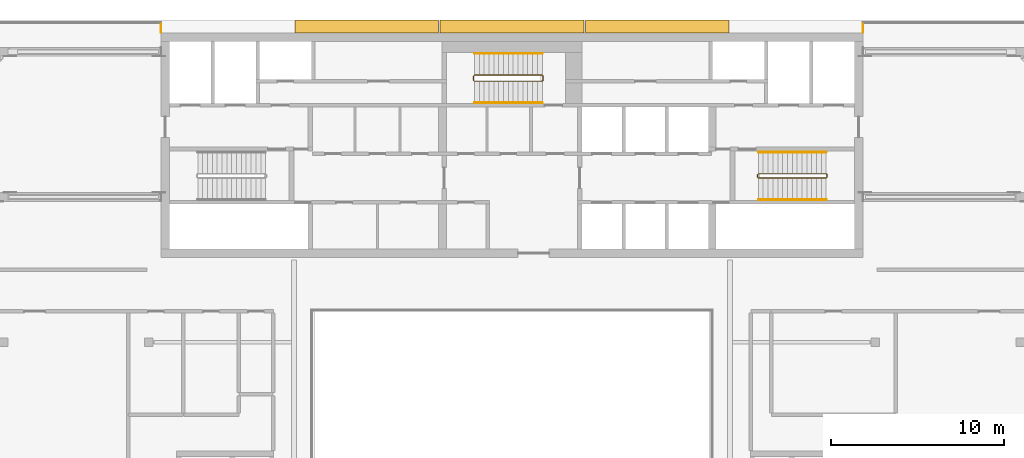
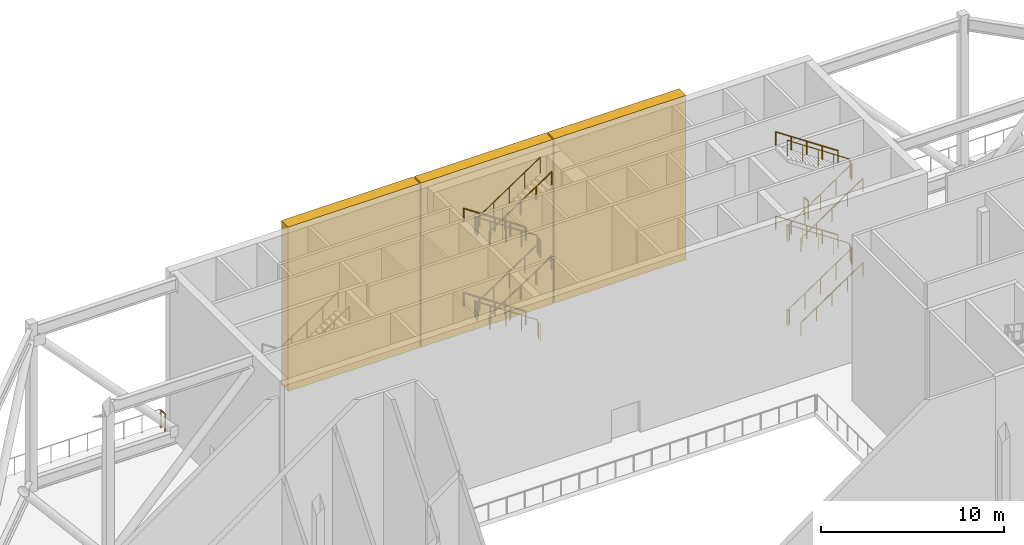
# One storey, part 19 of 20: 12 railings, 3 coverings.
"""IFC4 building model written with IfcOpenShell, lengths in metres."""

from ifc_helpers import new_model, si_unit, direction, frame, origin, origin_2d, place, context, subcontext, project, spatial, polyline, circle, outline, extrude, material, layer, layer_set, type_object, element, save


model = new_model("IFC4")

# Units and contexts
model_context = context("Model", 3, precision=1e-05, world=origin(), true_north=direction((0.0, 1.0)))
body_context = subcontext(model_context, "Body", "Model", "MODEL_VIEW")
ifc_project = project(units=[si_unit("LENGTHUNIT", "METRE"), si_unit("AREAUNIT", "SQUARE_METRE"), si_unit("VOLUMEUNIT", "CUBIC_METRE"), si_unit("PLANEANGLEUNIT", "RADIAN"), si_unit("MASSUNIT", "GRAM", prefix="KILO")], contexts=[model_context])

# Site, building, storey
site_placement = place(None, origin())
site = spatial("IfcSite", under=ifc_project, at=site_placement, CompositionType="ELEMENT")
building_placement = place(site_placement, origin())
building = spatial("IfcBuilding", under=site, at=building_placement, Name="Saffron Gate Tower", CompositionType="ELEMENT")
storey_placement = place(building_placement, frame((0.0, 0.0, 252.300048828125)))
storey = spatial("IfcBuildingStorey", under=building, at=storey_placement, Name="L62", CompositionType="ELEMENT", Elevation=252.300048828125)

# Railings
ifc_material_1 = material(Name="Stainless steel posts and toughened glass infill", Category="steel")
railing_type_1 = type_object("IfcRailingType", Name="BAL1 balustrade 1200", PredefinedType="BALUSTRADE", material=ifc_material_1)
for number, where, name in (
    (1, (67.300048828125, 75.39990234375, 0.0), "GUARD portal deck edge"),
    (2, (107.89990234375, 75.39990234375, 0.0), "GUARD portal deck edge"),
):
    element("IfcRailing", number, at=place(storey_placement, frame(where)), inside=storey, type_object=railing_type_1, Name=name, PredefinedType="BALUSTRADE", context=body_context, shape_type="SweptSolid", body=[
        extrude(circle(Radius=0.02392578125, at=origin_2d()), frame((0.0, 0.0, 1.17578125), z_axis=(0.0, -1.0, 0.0), x_axis=(1.0, 0.0, 0.0)), (0.0, 0.0, 1.0), 0.469970703125),
        extrude(circle(Radius=0.02099609375, at=origin_2d()), origin(), (0.0, 0.0, 1.0), 1.15185546875),
        extrude(circle(Radius=0.02099609375, at=origin_2d()), frame((0.0, -0.469970703125, 0.0)), (0.0, 0.0, 1.0), 1.15185546875),
    ])

# Coverings
ifc_material_2 = material(Name="Ceramic-printed bronze insulated panel")
ifc_layer = layer(ifc_material_2, 0.739990234375)
ifc_layer_set = layer_set([ifc_layer], Name="CLD5 ceramic-printed cladding panel 740")
covering_type = type_object("IfcCoveringType", Name="CLD5 ceramic-printed cladding panel 740", PredefinedType="CLADDING", material=ifc_layer_set)
covering_1_placement = place(storey_placement, origin())
element("IfcCovering", 3, at=covering_1_placement, inside=storey, type_object=covering_type, Name="CLADDING ceramic-printed panel", PredefinedType="CLADDING", context=body_context, shape_type="SweptSolid", body=[
    extrude(outline(polyline([(100.159912109375, 75.639892578125), (91.840087890625, 75.639892578125), (91.840087890625, 74.89990234375), (100.159912109375, 74.89990234375), (100.159912109375, 75.639892578125)])), origin(), (0.0, 0.0, 1.0), 10.969970703125),
])
covering_2_placement = place(storey_placement, origin())
element("IfcCovering", 4, at=covering_2_placement, inside=storey, type_object=covering_type, Name="CLADDING ceramic-printed panel", PredefinedType="CLADDING", context=body_context, shape_type="SweptSolid", body=[
    extrude(outline(polyline([(91.760009765625, 75.639892578125), (83.43994140625, 75.639892578125), (83.43994140625, 74.89990234375), (91.760009765625, 74.89990234375), (91.760009765625, 75.639892578125)])), origin(), (0.0, 0.0, 1.0), 10.969970703125),
])
covering_3_placement = place(storey_placement, origin())
element("IfcCovering", 5, at=covering_3_placement, inside=storey, type_object=covering_type, Name="CLADDING ceramic-printed panel", PredefinedType="CLADDING", context=body_context, shape_type="SweptSolid", body=[
    extrude(outline(polyline([(83.360107421875, 75.639892578125), (75.0400390625, 75.639892578125), (75.0400390625, 74.89990234375), (83.360107421875, 74.89990234375), (83.360107421875, 75.639892578125)])), origin(), (0.0, 0.0, 1.0), 10.969970703125),
])

# Railings
ifc_material_3 = material(Name="Stainless steel and laminated glass", Category="steel")
railing_type_2 = type_object("IfcRailingType", Name="CR1 Stair guard 1100", PredefinedType="GUARDRAIL", material=ifc_material_3)
railing_1_placement = place(storey_placement, frame((101.800048828125, 66.699951171875, 0.0)))
element("IfcRailing", 6, at=railing_1_placement, inside=storey, type_object=railing_type_2, Name="L62 ST-B stair guard 1", PredefinedType="GUARDRAIL", context=body_context, shape_type="SweptSolid", body=[
    extrude(circle(Radius=0.02392578125, at=origin_2d()), frame((0.0, 0.0, 1.076171875), z_axis=(0.0, -1.0, 0.0), x_axis=(1.0, 0.0, 0.0)), (0.0, 0.0, 1.0), 0.14990234375),
    extrude(circle(Radius=0.02392578125, at=origin_2d()), frame((0.0, -0.14990234375, 1.076171875), z_axis=(0.249726431254, -0.249726431254, 0.935560483917), x_axis=(0.707106781187, 0.707106781187, 0.0)), (0.0, 0.0, 1.0), 0.200439453125),
    extrude(circle(Radius=0.02392578125, at=origin_2d()), frame((0.050048828125, -0.199951171875, 1.263671875), z_axis=(0.830902050051, 0.0, 0.556418712142), x_axis=(0.0, 1.0, 0.0)), (0.0, 0.0, 1.0), 4.7177734375),
    extrude(circle(Radius=0.02392578125, at=origin_2d()), frame((3.969970703125, -0.199951171875, 3.888671875), z_axis=(0.707106781187, 0.707106781187, 0.0), x_axis=(-0.707106781187, 0.707106781187, 0.0)), (0.0, 0.0, 1.0), 0.07080078125),
    extrude(circle(Radius=0.02392578125, at=origin_2d()), frame((4.02001953125, -0.14990234375, 3.888671875), z_axis=(0.0, 1.0, 0.0), x_axis=(-1.0, 0.0, 0.0)), (0.0, 0.0, 1.0), 0.14990234375),
    extrude(circle(Radius=0.02392578125, at=origin_2d()), frame((4.02001953125, 0.0, 3.888671875), z_axis=(-0.249726431254, 0.249726431254, 0.935560483917), x_axis=(-0.707106781187, -0.707106781187, 0.0)), (0.0, 0.0, 1.0), 0.200439453125),
    extrude(circle(Radius=0.02392578125, at=origin_2d()), frame((3.969970703125, 0.050048828125, 4.076171875), z_axis=(-0.830902050051, 0.0, 0.556418712142), x_axis=(0.0, -1.0, 0.0)), (0.0, 0.0, 1.0), 4.7177734375),
    extrude(circle(Radius=0.02392578125, at=origin_2d()), frame((0.050048828125, 0.050048828125, 6.701171875), z_axis=(-0.707106781187, -0.707106781187, 0.0), x_axis=(0.707106781187, -0.707106781187, 0.0)), (0.0, 0.0, 1.0), 0.07080078125),
    extrude(circle(Radius=0.02392578125, at=origin_2d()), frame((0.0, 0.0, 6.701171875), z_axis=(0.0, -1.0, 0.0), x_axis=(1.0, 0.0, 0.0)), (0.0, 0.0, 1.0), 0.14990234375),
    extrude(circle(Radius=0.02392578125, at=origin_2d()), frame((0.0, -0.14990234375, 6.701171875), z_axis=(0.249726431254, -0.249726431254, 0.935560483917), x_axis=(0.707106781187, 0.707106781187, 0.0)), (0.0, 0.0, 1.0), 0.200439453125),
    extrude(circle(Radius=0.02392578125, at=origin_2d()), frame((0.050048828125, -0.199951171875, 6.888671875), z_axis=(0.830902050051, 0.0, 0.556418712142), x_axis=(0.0, 1.0, 0.0)), (0.0, 0.0, 1.0), 4.7177734375),
    extrude(circle(Radius=0.02392578125, at=origin_2d()), frame((3.969970703125, -0.199951171875, 9.513671875), z_axis=(0.707106781187, 0.707106781187, 0.0), x_axis=(-0.707106781187, 0.707106781187, 0.0)), (0.0, 0.0, 1.0), 0.07080078125),
    extrude(circle(Radius=0.02392578125, at=origin_2d()), frame((4.02001953125, -0.14990234375, 9.513671875), z_axis=(0.0, 1.0, 0.0), x_axis=(-1.0, 0.0, 0.0)), (0.0, 0.0, 1.0), 0.14990234375),
    extrude(circle(Radius=0.02392578125, at=origin_2d()), frame((4.02001953125, 0.0, 9.513671875), z_axis=(-0.249726431254, 0.249726431254, 0.935560483917), x_axis=(-0.707106781187, -0.707106781187, 0.0)), (0.0, 0.0, 1.0), 0.200439453125),
    extrude(circle(Radius=0.02392578125, at=origin_2d()), frame((3.969970703125, 0.050048828125, 9.701171875), z_axis=(-0.830902050051, 0.0, 0.556418712142), x_axis=(0.0, -1.0, 0.0)), (0.0, 0.0, 1.0), 4.7177734375),
    extrude(circle(Radius=0.02099609375, at=origin_2d()), origin(), (0.0, 0.0, 1.0), 1.052001953125),
    extrude(circle(Radius=0.02099609375, at=origin_2d()), frame((0.0, -0.14990234375, 0.0)), (0.0, 0.0, 1.0), 1.052001953125),
    extrude(circle(Radius=0.02099609375, at=origin_2d()), frame((0.050048828125, -0.199951171875, 0.1875)), (0.0, 0.0, 1.0), 1.052001953125),
    extrude(circle(Radius=0.02099609375, at=origin_2d()), frame((1.030029296875, -0.199951171875, 0.84375)), (0.0, 0.0, 1.0), 1.052001953125),
    extrude(circle(Radius=0.02099609375, at=origin_2d()), frame((2.010009765625, -0.199951171875, 1.5)), (0.0, 0.0, 1.0), 1.052001953125),
    extrude(circle(Radius=0.02099609375, at=origin_2d()), frame((2.989990234375, -0.199951171875, 2.15625)), (0.0, 0.0, 1.0), 1.052001953125),
    extrude(circle(Radius=0.02099609375, at=origin_2d()), frame((3.969970703125, -0.199951171875, 2.8125)), (0.0, 0.0, 1.0), 1.052001953125),
    extrude(circle(Radius=0.02099609375, at=origin_2d()), frame((4.02001953125, -0.14990234375, 2.8125)), (0.0, 0.0, 1.0), 1.052001953125),
    extrude(circle(Radius=0.02099609375, at=origin_2d()), frame((4.02001953125, 0.0, 2.8125)), (0.0, 0.0, 1.0), 1.052001953125),
    extrude(circle(Radius=0.02099609375, at=origin_2d()), frame((3.969970703125, 0.050048828125, 3.0)), (0.0, 0.0, 1.0), 1.052001953125),
    extrude(circle(Radius=0.02099609375, at=origin_2d()), frame((2.989990234375, 0.050048828125, 3.65625)), (0.0, 0.0, 1.0), 1.052001953125),
    extrude(circle(Radius=0.02099609375, at=origin_2d()), frame((2.010009765625, 0.050048828125, 4.3125)), (0.0, 0.0, 1.0), 1.052001953125),
    extrude(circle(Radius=0.02099609375, at=origin_2d()), frame((1.030029296875, 0.050048828125, 4.96875)), (0.0, 0.0, 1.0), 1.052001953125),
    extrude(circle(Radius=0.02099609375, at=origin_2d()), frame((0.050048828125, 0.050048828125, 5.625)), (0.0, 0.0, 1.0), 1.052001953125),
    extrude(circle(Radius=0.02099609375, at=origin_2d()), frame((0.0, 0.0, 5.625)), (0.0, 0.0, 1.0), 1.052001953125),
    extrude(circle(Radius=0.02099609375, at=origin_2d()), frame((0.0, -0.14990234375, 5.625)), (0.0, 0.0, 1.0), 1.052001953125),
    extrude(circle(Radius=0.02099609375, at=origin_2d()), frame((0.050048828125, -0.199951171875, 5.8125)), (0.0, 0.0, 1.0), 1.052001953125),
    extrude(circle(Radius=0.02099609375, at=origin_2d()), frame((1.030029296875, -0.199951171875, 6.46875)), (0.0, 0.0, 1.0), 1.052001953125),
    extrude(circle(Radius=0.02099609375, at=origin_2d()), frame((2.010009765625, -0.199951171875, 7.125)), (0.0, 0.0, 1.0), 1.052001953125),
    extrude(circle(Radius=0.02099609375, at=origin_2d()), frame((2.989990234375, -0.199951171875, 7.78125)), (0.0, 0.0, 1.0), 1.052001953125),
    extrude(circle(Radius=0.02099609375, at=origin_2d()), frame((3.969970703125, -0.199951171875, 8.4375)), (0.0, 0.0, 1.0), 1.052001953125),
    extrude(circle(Radius=0.02099609375, at=origin_2d()), frame((4.02001953125, -0.14990234375, 8.4375)), (0.0, 0.0, 1.0), 1.052001953125),
    extrude(circle(Radius=0.02099609375, at=origin_2d()), frame((4.02001953125, 0.0, 8.4375)), (0.0, 0.0, 1.0), 1.052001953125),
    extrude(circle(Radius=0.02099609375, at=origin_2d()), frame((3.969970703125, 0.050048828125, 8.625)), (0.0, 0.0, 1.0), 1.052001953125),
    extrude(circle(Radius=0.02099609375, at=origin_2d()), frame((2.989990234375, 0.050048828125, 9.28125)), (0.0, 0.0, 1.0), 1.052001953125),
    extrude(circle(Radius=0.02099609375, at=origin_2d()), frame((2.010009765625, 0.050048828125, 9.9375)), (0.0, 0.0, 1.0), 1.052001953125),
    extrude(circle(Radius=0.02099609375, at=origin_2d()), frame((1.030029296875, 0.050048828125, 10.59375)), (0.0, 0.0, 1.0), 1.052001953125),
    extrude(circle(Radius=0.02099609375, at=origin_2d()), frame((0.050048828125, 0.050048828125, 11.25)), (0.0, 0.0, 1.0), 1.052001953125),
])
railing_2_placement = place(storey_placement, frame((89.39990234375, 72.14990234375, 0.0)))
element("IfcRailing", 7, at=railing_2_placement, inside=storey, type_object=railing_type_2, Name="L62 ST-C stair guard 1", PredefinedType="GUARDRAIL", context=body_context, shape_type="SweptSolid", body=[
    extrude(circle(Radius=0.02392578125, at=origin_2d()), frame((0.0, 0.0, 1.076171875), z_axis=(0.0, 1.0, 0.0), x_axis=(-1.0, 0.0, 0.0)), (0.0, 0.0, 1.0), 0.25),
    extrude(circle(Radius=0.02392578125, at=origin_2d()), frame((0.0, 0.25, 1.076171875), z_axis=(-0.248583702486, 0.249802250048, 0.935844527007), x_axis=(-0.708833529934, -0.705375805398, 0.0)), (0.0, 0.0, 1.0), 0.200439453125),
    extrude(circle(Radius=0.02392578125, at=origin_2d()), frame((-0.0498046875, 0.300048828125, 1.263671875), z_axis=(-0.830918070988, 0.0, 0.556394787274), x_axis=(0.0, -1.0, 0.0)), (0.0, 0.0, 1.0), 4.7177734375),
    extrude(circle(Radius=0.02392578125, at=origin_2d()), frame((-3.969970703125, 0.300048828125, 3.888671875), z_axis=(-0.707106781187, -0.707106781187, 0.0), x_axis=(0.707106781187, -0.707106781187, 0.0)), (0.0, 0.0, 1.0), 0.07080078125),
    extrude(circle(Radius=0.02392578125, at=origin_2d()), frame((-4.02001953125, 0.25, 3.888671875), z_axis=(0.0, -1.0, 0.0), x_axis=(1.0, 0.0, 0.0)), (0.0, 0.0, 1.0), 0.25),
    extrude(circle(Radius=0.02392578125, at=origin_2d()), frame((-4.02001953125, 0.0, 3.888671875), z_axis=(0.249802250048, -0.248583702486, 0.935844527007), x_axis=(0.705375805398, 0.708833529934, 0.0)), (0.0, 0.0, 1.0), 0.200439453125),
    extrude(circle(Radius=0.02392578125, at=origin_2d()), frame((-3.969970703125, -0.0498046875, 4.076171875), z_axis=(0.830918070988, 0.0, 0.556394787274), x_axis=(0.0, 1.0, 0.0)), (0.0, 0.0, 1.0), 4.7177734375),
    extrude(circle(Radius=0.02392578125, at=origin_2d()), frame((-0.0498046875, -0.0498046875, 6.701171875), z_axis=(0.707106781187, 0.707106781187, 0.0), x_axis=(-0.707106781187, 0.707106781187, 0.0)), (0.0, 0.0, 1.0), 0.0703125),
    extrude(circle(Radius=0.02392578125, at=origin_2d()), frame((0.0, 0.0, 6.701171875), z_axis=(0.0, 1.0, 0.0), x_axis=(-1.0, 0.0, 0.0)), (0.0, 0.0, 1.0), 0.25),
    extrude(circle(Radius=0.02392578125, at=origin_2d()), frame((0.0, 0.25, 6.701171875), z_axis=(-0.248583702486, 0.249802250048, 0.935844527007), x_axis=(-0.708833529934, -0.705375805398, 0.0)), (0.0, 0.0, 1.0), 0.200439453125),
    extrude(circle(Radius=0.02392578125, at=origin_2d()), frame((-0.0498046875, 0.300048828125, 6.888671875), z_axis=(-0.830918070988, 0.0, 0.556394787274), x_axis=(0.0, -1.0, 0.0)), (0.0, 0.0, 1.0), 4.7177734375),
    extrude(circle(Radius=0.02392578125, at=origin_2d()), frame((-3.969970703125, 0.300048828125, 9.513671875), z_axis=(-0.707106781187, -0.707106781187, 0.0), x_axis=(0.707106781187, -0.707106781187, 0.0)), (0.0, 0.0, 1.0), 0.07080078125),
    extrude(circle(Radius=0.02392578125, at=origin_2d()), frame((-4.02001953125, 0.25, 9.513671875), z_axis=(0.0, -1.0, 0.0), x_axis=(1.0, 0.0, 0.0)), (0.0, 0.0, 1.0), 0.25),
    extrude(circle(Radius=0.02392578125, at=origin_2d()), frame((-4.02001953125, 0.0, 9.513671875), z_axis=(0.249802250048, -0.248583702486, 0.935844527007), x_axis=(0.705375805398, 0.708833529934, 0.0)), (0.0, 0.0, 1.0), 0.200439453125),
    extrude(circle(Radius=0.02392578125, at=origin_2d()), frame((-3.969970703125, -0.0498046875, 9.701171875), z_axis=(0.830918070988, 0.0, 0.556394787274), x_axis=(0.0, 1.0, 0.0)), (0.0, 0.0, 1.0), 4.7177734375),
    extrude(circle(Radius=0.02099609375, at=origin_2d()), origin(), (0.0, 0.0, 1.0), 1.052001953125),
    extrude(circle(Radius=0.02099609375, at=origin_2d()), frame((0.0, 0.25, 0.0)), (0.0, 0.0, 1.0), 1.052001953125),
    extrude(circle(Radius=0.02099609375, at=origin_2d()), frame((-0.0498046875, 0.300048828125, 0.1875)), (0.0, 0.0, 1.0), 1.052001953125),
    extrude(circle(Radius=0.02099609375, at=origin_2d()), frame((-1.02978515625, 0.300048828125, 0.84375)), (0.0, 0.0, 1.0), 1.052001953125),
    extrude(circle(Radius=0.02099609375, at=origin_2d()), frame((-2.009765625, 0.300048828125, 1.5)), (0.0, 0.0, 1.0), 1.052001953125),
    extrude(circle(Radius=0.02099609375, at=origin_2d()), frame((-2.989990234375, 0.300048828125, 2.15625)), (0.0, 0.0, 1.0), 1.052001953125),
    extrude(circle(Radius=0.02099609375, at=origin_2d()), frame((-3.969970703125, 0.300048828125, 2.8125)), (0.0, 0.0, 1.0), 1.052001953125),
    extrude(circle(Radius=0.02099609375, at=origin_2d()), frame((-4.02001953125, 0.25, 2.8125)), (0.0, 0.0, 1.0), 1.052001953125),
    extrude(circle(Radius=0.02099609375, at=origin_2d()), frame((-4.02001953125, 0.0, 2.8125)), (0.0, 0.0, 1.0), 1.052001953125),
    extrude(circle(Radius=0.02099609375, at=origin_2d()), frame((-3.969970703125, -0.0498046875, 3.0)), (0.0, 0.0, 1.0), 1.052001953125),
    extrude(circle(Radius=0.02099609375, at=origin_2d()), frame((-2.989990234375, -0.0498046875, 3.65625)), (0.0, 0.0, 1.0), 1.052001953125),
    extrude(circle(Radius=0.02099609375, at=origin_2d()), frame((-2.009765625, -0.0498046875, 4.3125)), (0.0, 0.0, 1.0), 1.052001953125),
    extrude(circle(Radius=0.02099609375, at=origin_2d()), frame((-1.02978515625, -0.0498046875, 4.96875)), (0.0, 0.0, 1.0), 1.052001953125),
    extrude(circle(Radius=0.02099609375, at=origin_2d()), frame((-0.0498046875, -0.0498046875, 5.625)), (0.0, 0.0, 1.0), 1.052001953125),
    extrude(circle(Radius=0.02099609375, at=origin_2d()), frame((0.0, 0.0, 5.625)), (0.0, 0.0, 1.0), 1.052001953125),
    extrude(circle(Radius=0.02099609375, at=origin_2d()), frame((0.0, 0.25, 5.625)), (0.0, 0.0, 1.0), 1.052001953125),
    extrude(circle(Radius=0.02099609375, at=origin_2d()), frame((-0.0498046875, 0.300048828125, 5.8125)), (0.0, 0.0, 1.0), 1.052001953125),
    extrude(circle(Radius=0.02099609375, at=origin_2d()), frame((-1.02978515625, 0.300048828125, 6.46875)), (0.0, 0.0, 1.0), 1.052001953125),
    extrude(circle(Radius=0.02099609375, at=origin_2d()), frame((-2.009765625, 0.300048828125, 7.125)), (0.0, 0.0, 1.0), 1.052001953125),
    extrude(circle(Radius=0.02099609375, at=origin_2d()), frame((-2.989990234375, 0.300048828125, 7.78125)), (0.0, 0.0, 1.0), 1.052001953125),
    extrude(circle(Radius=0.02099609375, at=origin_2d()), frame((-3.969970703125, 0.300048828125, 8.4375)), (0.0, 0.0, 1.0), 1.052001953125),
    extrude(circle(Radius=0.02099609375, at=origin_2d()), frame((-4.02001953125, 0.25, 8.4375)), (0.0, 0.0, 1.0), 1.052001953125),
    extrude(circle(Radius=0.02099609375, at=origin_2d()), frame((-4.02001953125, 0.0, 8.4375)), (0.0, 0.0, 1.0), 1.052001953125),
    extrude(circle(Radius=0.02099609375, at=origin_2d()), frame((-3.969970703125, -0.0498046875, 8.625)), (0.0, 0.0, 1.0), 1.052001953125),
    extrude(circle(Radius=0.02099609375, at=origin_2d()), frame((-2.989990234375, -0.0498046875, 9.28125)), (0.0, 0.0, 1.0), 1.052001953125),
    extrude(circle(Radius=0.02099609375, at=origin_2d()), frame((-2.009765625, -0.0498046875, 9.9375)), (0.0, 0.0, 1.0), 1.052001953125),
    extrude(circle(Radius=0.02099609375, at=origin_2d()), frame((-1.02978515625, -0.0498046875, 10.59375)), (0.0, 0.0, 1.0), 1.052001953125),
    extrude(circle(Radius=0.02099609375, at=origin_2d()), frame((-0.0498046875, -0.0498046875, 11.25)), (0.0, 0.0, 1.0), 1.052001953125),
])
ifc_material_4 = material(Name="Stainless steel", Category="steel")
railing_type_3 = type_object("IfcRailingType", Name="CR2 Stair handrail 900", PredefinedType="HANDRAIL", material=ifc_material_4)
railing_3_placement = place(storey_placement, frame((101.85009765625, 65.25, 0.1875)))
element("IfcRailing", 8, at=railing_3_placement, inside=storey, type_object=railing_type_3, Name="L62 ST-B stair handrail 1", PredefinedType="HANDRAIL", context=body_context, shape_type="SweptSolid", body=[
    extrude(circle(Radius=0.02392578125, at=origin_2d()), frame((0.0, 0.0, 0.8759765625), z_axis=(0.830902050051, 0.0, 0.556418712142), x_axis=(0.0, 1.0, 0.0)), (0.0, 0.0, 1.0), 4.7177734375),
    extrude(circle(Radius=0.02099609375, at=origin_2d()), origin(), (0.0, 0.0, 1.0), 0.851806640625),
    extrude(circle(Radius=0.02099609375, at=origin_2d()), frame((0.97998046875, 0.0, 0.65625)), (0.0, 0.0, 1.0), 0.851806640625),
    extrude(circle(Radius=0.02099609375, at=origin_2d()), frame((1.9599609375, 0.0, 1.3125)), (0.0, 0.0, 1.0), 0.851806640625),
    extrude(circle(Radius=0.02099609375, at=origin_2d()), frame((2.93994140625, 0.0, 1.96875)), (0.0, 0.0, 1.0), 0.851806640625),
    extrude(circle(Radius=0.02099609375, at=origin_2d()), frame((3.919921875, 0.0, 2.625)), (0.0, 0.0, 1.0), 0.851806640625),
])
railing_4_placement = place(storey_placement, frame((105.77001953125, 68.0, 3.0)))
element("IfcRailing", 9, at=railing_4_placement, inside=storey, type_object=railing_type_3, Name="L62 ST-B stair handrail 2", PredefinedType="HANDRAIL", context=body_context, shape_type="SweptSolid", body=[
    extrude(circle(Radius=0.02392578125, at=origin_2d()), frame((0.0, 0.0, 0.8759765625), z_axis=(-0.830902050051, 0.0, 0.556418712142), x_axis=(0.0, -1.0, 0.0)), (0.0, 0.0, 1.0), 4.7177734375),
    extrude(circle(Radius=0.02099609375, at=origin_2d()), origin(), (0.0, 0.0, 1.0), 0.851806640625),
    extrude(circle(Radius=0.02099609375, at=origin_2d()), frame((-0.97998046875, 0.0, 0.65625)), (0.0, 0.0, 1.0), 0.851806640625),
    extrude(circle(Radius=0.02099609375, at=origin_2d()), frame((-1.9599609375, 0.0, 1.3125)), (0.0, 0.0, 1.0), 0.851806640625),
    extrude(circle(Radius=0.02099609375, at=origin_2d()), frame((-2.93994140625, 0.0, 1.96875)), (0.0, 0.0, 1.0), 0.851806640625),
    extrude(circle(Radius=0.02099609375, at=origin_2d()), frame((-3.919921875, 0.0, 2.625)), (0.0, 0.0, 1.0), 0.851806640625),
])
railing_5_placement = place(storey_placement, frame((101.85009765625, 65.25, 5.8125)))
element("IfcRailing", 10, at=railing_5_placement, inside=storey, type_object=railing_type_3, Name="L62 ST-B stair handrail 3", PredefinedType="HANDRAIL", context=body_context, shape_type="SweptSolid", body=[
    extrude(circle(Radius=0.02392578125, at=origin_2d()), frame((0.0, 0.0, 0.8759765625), z_axis=(0.830902050051, 0.0, 0.556418712142), x_axis=(0.0, 1.0, 0.0)), (0.0, 0.0, 1.0), 4.7177734375),
    extrude(circle(Radius=0.02099609375, at=origin_2d()), origin(), (0.0, 0.0, 1.0), 0.851806640625),
    extrude(circle(Radius=0.02099609375, at=origin_2d()), frame((0.97998046875, 0.0, 0.65625)), (0.0, 0.0, 1.0), 0.851806640625),
    extrude(circle(Radius=0.02099609375, at=origin_2d()), frame((1.9599609375, 0.0, 1.3125)), (0.0, 0.0, 1.0), 0.851806640625),
    extrude(circle(Radius=0.02099609375, at=origin_2d()), frame((2.93994140625, 0.0, 1.96875)), (0.0, 0.0, 1.0), 0.851806640625),
    extrude(circle(Radius=0.02099609375, at=origin_2d()), frame((3.919921875, 0.0, 2.625)), (0.0, 0.0, 1.0), 0.851806640625),
])
railing_6_placement = place(storey_placement, frame((105.77001953125, 68.0, 8.625)))
element("IfcRailing", 11, at=railing_6_placement, inside=storey, type_object=railing_type_3, Name="L62 ST-B stair handrail 4", PredefinedType="HANDRAIL", context=body_context, shape_type="SweptSolid", body=[
    extrude(circle(Radius=0.02392578125, at=origin_2d()), frame((0.0, 0.0, 0.8759765625), z_axis=(-0.830902050051, 0.0, 0.556418712142), x_axis=(0.0, -1.0, 0.0)), (0.0, 0.0, 1.0), 4.7177734375),
    extrude(circle(Radius=0.02099609375, at=origin_2d()), origin(), (0.0, 0.0, 1.0), 0.851806640625),
    extrude(circle(Radius=0.02099609375, at=origin_2d()), frame((-0.97998046875, 0.0, 0.65625)), (0.0, 0.0, 1.0), 0.851806640625),
    extrude(circle(Radius=0.02099609375, at=origin_2d()), frame((-1.9599609375, 0.0, 1.3125)), (0.0, 0.0, 1.0), 0.851806640625),
    extrude(circle(Radius=0.02099609375, at=origin_2d()), frame((-2.93994140625, 0.0, 1.96875)), (0.0, 0.0, 1.0), 0.851806640625),
    extrude(circle(Radius=0.02099609375, at=origin_2d()), frame((-3.919921875, 0.0, 2.625)), (0.0, 0.0, 1.0), 0.851806640625),
])
railing_7_placement = place(storey_placement, frame((89.35009765625, 73.699951171875, 0.1875)))
element("IfcRailing", 12, at=railing_7_placement, inside=storey, type_object=railing_type_3, Name="L62 ST-C stair handrail 1", PredefinedType="HANDRAIL", context=body_context, shape_type="SweptSolid", body=[
    extrude(circle(Radius=0.02392578125, at=origin_2d()), frame((0.0, 0.0, 0.8759765625), z_axis=(-0.830918070988, 0.0, 0.556394787274), x_axis=(0.0, -1.0, 0.0)), (0.0, 0.0, 1.0), 4.7177734375),
    extrude(circle(Radius=0.02099609375, at=origin_2d()), origin(), (0.0, 0.0, 1.0), 0.851806640625),
    extrude(circle(Radius=0.02099609375, at=origin_2d()), frame((-0.97998046875, 0.0, 0.65625)), (0.0, 0.0, 1.0), 0.851806640625),
    extrude(circle(Radius=0.02099609375, at=origin_2d()), frame((-1.9599609375, 0.0, 1.3125)), (0.0, 0.0, 1.0), 0.851806640625),
    extrude(circle(Radius=0.02099609375, at=origin_2d()), frame((-2.940185546875, 0.0, 1.96875)), (0.0, 0.0, 1.0), 0.851806640625),
    extrude(circle(Radius=0.02099609375, at=origin_2d()), frame((-3.920166015625, 0.0, 2.625)), (0.0, 0.0, 1.0), 0.851806640625),
])
railing_8_placement = place(storey_placement, frame((85.429931640625, 70.85009765625, 3.0)))
element("IfcRailing", 13, at=railing_8_placement, inside=storey, type_object=railing_type_3, Name="L62 ST-C stair handrail 2", PredefinedType="HANDRAIL", context=body_context, shape_type="SweptSolid", body=[
    extrude(circle(Radius=0.02392578125, at=origin_2d()), frame((0.0, 0.0, 0.8759765625), z_axis=(0.830918070988, 0.0, 0.556394787274), x_axis=(0.0, 1.0, 0.0)), (0.0, 0.0, 1.0), 4.7177734375),
    extrude(circle(Radius=0.02099609375, at=origin_2d()), origin(), (0.0, 0.0, 1.0), 0.851806640625),
    extrude(circle(Radius=0.02099609375, at=origin_2d()), frame((0.97998046875, 0.0, 0.65625)), (0.0, 0.0, 1.0), 0.851806640625),
    extrude(circle(Radius=0.02099609375, at=origin_2d()), frame((1.9599609375, 0.0, 1.3125)), (0.0, 0.0, 1.0), 0.851806640625),
    extrude(circle(Radius=0.02099609375, at=origin_2d()), frame((2.940185546875, 0.0, 1.96875)), (0.0, 0.0, 1.0), 0.851806640625),
    extrude(circle(Radius=0.02099609375, at=origin_2d()), frame((3.920166015625, 0.0, 2.625)), (0.0, 0.0, 1.0), 0.851806640625),
])
railing_9_placement = place(storey_placement, frame((89.35009765625, 73.699951171875, 5.8125)))
element("IfcRailing", 14, at=railing_9_placement, inside=storey, type_object=railing_type_3, Name="L62 ST-C stair handrail 3", PredefinedType="HANDRAIL", context=body_context, shape_type="SweptSolid", body=[
    extrude(circle(Radius=0.02392578125, at=origin_2d()), frame((0.0, 0.0, 0.8759765625), z_axis=(-0.830918070988, 0.0, 0.556394787274), x_axis=(0.0, -1.0, 0.0)), (0.0, 0.0, 1.0), 4.7177734375),
    extrude(circle(Radius=0.02099609375, at=origin_2d()), origin(), (0.0, 0.0, 1.0), 0.851806640625),
    extrude(circle(Radius=0.02099609375, at=origin_2d()), frame((-0.97998046875, 0.0, 0.65625)), (0.0, 0.0, 1.0), 0.851806640625),
    extrude(circle(Radius=0.02099609375, at=origin_2d()), frame((-1.9599609375, 0.0, 1.3125)), (0.0, 0.0, 1.0), 0.851806640625),
    extrude(circle(Radius=0.02099609375, at=origin_2d()), frame((-2.940185546875, 0.0, 1.96875)), (0.0, 0.0, 1.0), 0.851806640625),
    extrude(circle(Radius=0.02099609375, at=origin_2d()), frame((-3.920166015625, 0.0, 2.625)), (0.0, 0.0, 1.0), 0.851806640625),
])
railing_10_placement = place(storey_placement, frame((85.429931640625, 70.85009765625, 8.625)))
element("IfcRailing", 15, at=railing_10_placement, inside=storey, type_object=railing_type_3, Name="L62 ST-C stair handrail 4", PredefinedType="HANDRAIL", context=body_context, shape_type="SweptSolid", body=[
    extrude(circle(Radius=0.02392578125, at=origin_2d()), frame((0.0, 0.0, 0.8759765625), z_axis=(0.830918070988, 0.0, 0.556394787274), x_axis=(0.0, 1.0, 0.0)), (0.0, 0.0, 1.0), 4.7177734375),
    extrude(circle(Radius=0.02099609375, at=origin_2d()), origin(), (0.0, 0.0, 1.0), 0.851806640625),
    extrude(circle(Radius=0.02099609375, at=origin_2d()), frame((0.97998046875, 0.0, 0.65625)), (0.0, 0.0, 1.0), 0.851806640625),
    extrude(circle(Radius=0.02099609375, at=origin_2d()), frame((1.9599609375, 0.0, 1.3125)), (0.0, 0.0, 1.0), 0.851806640625),
    extrude(circle(Radius=0.02099609375, at=origin_2d()), frame((2.940185546875, 0.0, 1.96875)), (0.0, 0.0, 1.0), 0.851806640625),
    extrude(circle(Radius=0.02099609375, at=origin_2d()), frame((3.920166015625, 0.0, 2.625)), (0.0, 0.0, 1.0), 0.851806640625),
])

save(model, "model.ifc")
